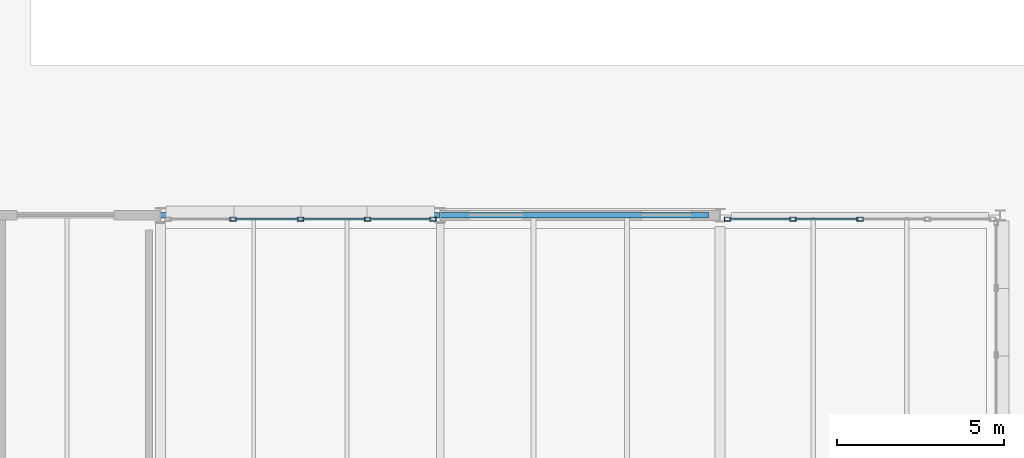
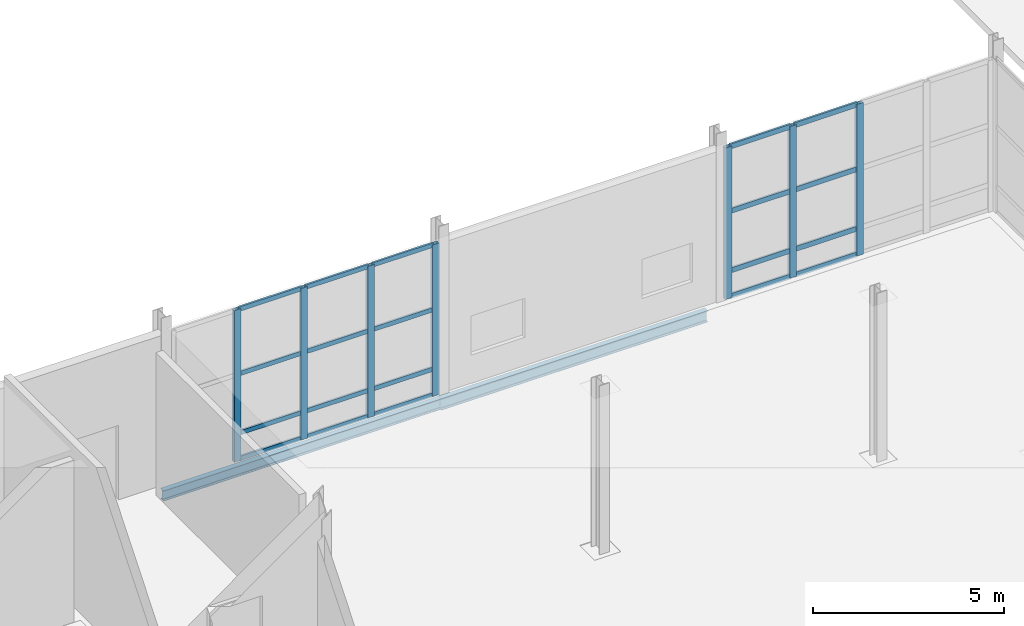
# One storey, part 50 of 124: 27 members, 2 beams, 2 elements without a shape of their own.
"""IFC4 building model written with IfcOpenShell, lengths in metres."""

from ifc_helpers import new_model, si_unit, direction, frame, origin, origin_2d, place, context, subcontext, project, spatial, hollow_rectangle, i_section, extrude, material, material_profile, profile_set, type_object, element, aggregate, save


model = new_model("IFC4")

# Units and contexts
model_context = context("Model", 3, precision=1e-05, world=origin(), true_north=direction((0.0, 1.0)))
body_context = subcontext(model_context, "Body", "Model", "MODEL_VIEW")
ifc_project = project(units=[si_unit("LENGTHUNIT", "METRE"), si_unit("AREAUNIT", "SQUARE_METRE"), si_unit("VOLUMEUNIT", "CUBIC_METRE"), si_unit("PLANEANGLEUNIT", "RADIAN"), si_unit("MASSUNIT", "GRAM", prefix="KILO")], contexts=[model_context])

# Site, building, storey
site_placement = place(None, origin())
site = spatial("IfcSite", under=ifc_project, at=site_placement, CompositionType="ELEMENT")
building_placement = place(site_placement, origin())
building = spatial("IfcBuilding", under=site, at=building_placement, Name="Mersafa Astral City Hall", CompositionType="ELEMENT")
storey_placement = place(building_placement, origin())
storey = spatial("IfcBuildingStorey", under=building, at=storey_placement, Name="L00", CompositionType="ELEMENT", Elevation=0.0)

# Curtain wall, members
ifc_material_1 = material(Name="Anodised bronze aluminium framing", Category="aluminium")
curtain_wall_type_1 = type_object("IfcCurtainWallType", Name="ENV-CW-1", PredefinedType="USERDEFINED", material=ifc_material_1)
curtain_wall_1_placement = place(storey_placement, origin())
curtain_wall_1 = element("IfcCurtainWall", 1, at=curtain_wall_1_placement, inside=storey, type_object=curtain_wall_type_1, Name="L00 Unitised solar curtain wall 6", ObjectType="UNITISED CURTAIN WALL", PredefinedType="USERDEFINED")
ifc_material_profile_1 = material_profile(ifc_material_1, hollow_rectangle(XDim=0.1201171875, YDim=0.199951171875, WallThickness=0.008056640625, at=origin_2d()), Name="RHS 120x200x8")
ifc_profile_set_1 = profile_set([ifc_material_profile_1], Name="Anodised bronze aluminium framing")
member_type_1 = type_object("IfcMemberType", Name="ENV-CW-MUL-2", PredefinedType="MULLION", material=ifc_profile_set_1)
member_1_placement = place(storey_placement, frame((147.0, 33.47998046875, -0.001953125), z_axis=(0.0, 0.0, 1.0), x_axis=(0.0, -1.0, 0.0)))
member_1 = element("IfcMember", 2, at=member_1_placement, type_object=member_type_1, Name="CW-1 mullion 3", PredefinedType="MULLION", context=body_context, shape_type="SweptSolid", body=[
    extrude(hollow_rectangle(XDim=0.1201171875, YDim=0.199951171875, WallThickness=0.008056640625, at=origin_2d()), origin(), (0.0, 0.0, 1.0), 4.843994140625),
])
member_2_placement = place(storey_placement, frame((144.98095703125, 33.47998046875, -0.001953125), z_axis=(0.0, 0.0, 1.0), x_axis=(0.0, -1.0, 0.0)))
member_2 = element("IfcMember", 3, at=member_2_placement, type_object=member_type_1, Name="CW-1 mullion 4", PredefinedType="MULLION", context=body_context, shape_type="SweptSolid", body=[
    extrude(hollow_rectangle(XDim=0.1201171875, YDim=0.199951171875, WallThickness=0.008056640625, at=origin_2d()), origin(), (0.0, 0.0, 1.0), 4.843994140625),
])
member_3_placement = place(storey_placement, frame((143.02197265625, 33.47998046875, -0.001953125), z_axis=(0.0, 0.0, 1.0), x_axis=(0.0, -1.0, 0.0)))
member_3 = element("IfcMember", 4, at=member_3_placement, type_object=member_type_1, Name="CW-1 mullion 5", PredefinedType="MULLION", context=body_context, shape_type="SweptSolid", body=[
    extrude(hollow_rectangle(XDim=0.1201171875, YDim=0.199951171875, WallThickness=0.008056640625, at=origin_2d()), origin(), (0.0, 0.0, 1.0), 4.843994140625),
])

curtain_wall_type_2 = type_object("IfcCurtainWallType", Name="ENV-CW-2", PredefinedType="USERDEFINED", material=ifc_material_1)
curtain_wall_2_placement = place(storey_placement, origin())
curtain_wall_2 = element("IfcCurtainWall", 5, at=curtain_wall_2_placement, inside=storey, type_object=curtain_wall_type_2, Name="L00 Unitised solar curtain wall 7", ObjectType="UNITISED CURTAIN WALL", PredefinedType="USERDEFINED")
member_4_placement = place(storey_placement, frame((134.177978515625, 33.47998046875, -0.001953125), z_axis=(0.0, 0.0, 1.0), x_axis=(0.0, -1.0, 0.0)))
member_4 = element("IfcMember", 6, at=member_4_placement, type_object=member_type_1, Name="CW-2 mullion 1", PredefinedType="MULLION", context=body_context, shape_type="SweptSolid", body=[
    extrude(hollow_rectangle(XDim=0.1201171875, YDim=0.199951171875, WallThickness=0.008056640625, at=origin_2d()), origin(), (0.0, 0.0, 1.0), 4.843994140625),
])
member_5_placement = place(storey_placement, frame((132.218994140625, 33.47998046875, -0.001953125), z_axis=(0.0, 0.0, 1.0), x_axis=(0.0, -1.0, 0.0)))
member_5 = element("IfcMember", 7, at=member_5_placement, type_object=member_type_1, Name="CW-2 mullion 2", PredefinedType="MULLION", context=body_context, shape_type="SweptSolid", body=[
    extrude(hollow_rectangle(XDim=0.1201171875, YDim=0.199951171875, WallThickness=0.008056640625, at=origin_2d()), origin(), (0.0, 0.0, 1.0), 4.843994140625),
])
member_6_placement = place(storey_placement, frame((130.199951171875, 33.47998046875, -0.001953125), z_axis=(0.0, 0.0, 1.0), x_axis=(0.0, -1.0, 0.0)))
member_6 = element("IfcMember", 8, at=member_6_placement, type_object=member_type_1, Name="CW-2 mullion 3", PredefinedType="MULLION", context=body_context, shape_type="SweptSolid", body=[
    extrude(hollow_rectangle(XDim=0.1201171875, YDim=0.199951171875, WallThickness=0.008056640625, at=origin_2d()), origin(), (0.0, 0.0, 1.0), 4.843994140625),
])
member_7_placement = place(storey_placement, frame((128.180908203125, 33.47998046875, -0.001953125), z_axis=(0.0, 0.0, 1.0), x_axis=(0.0, -1.0, 0.0)))
member_7 = element("IfcMember", 9, at=member_7_placement, type_object=member_type_1, Name="CW-2 mullion 4", PredefinedType="MULLION", context=body_context, shape_type="SweptSolid", body=[
    extrude(hollow_rectangle(XDim=0.1201171875, YDim=0.199951171875, WallThickness=0.008056640625, at=origin_2d()), origin(), (0.0, 0.0, 1.0), 4.843994140625),
])
ifc_material_profile_2 = material_profile(ifc_material_1, hollow_rectangle(XDim=0.06005859375, YDim=0.139892578125, WallThickness=0.00390625, at=origin_2d()), Name="RHS 60x140x4")
ifc_profile_set_2 = profile_set([ifc_material_profile_2], Name="Anodised bronze aluminium framing")
member_type_2 = type_object("IfcMemberType", Name="ENV-CW-TRN-1", PredefinedType="USERDEFINED", material=ifc_profile_set_2)
member_8_placement = place(storey_placement, frame((134.117919921875, 33.47998046875, 0.028076171875), z_axis=(-1.0, 0.0, 0.0), x_axis=(0.0, -1.0, 0.0)))
member_8 = element("IfcMember", 10, at=member_8_placement, type_object=member_type_2, Name="CW-2 transom 1.1", ObjectType="TRANSOM", PredefinedType="USERDEFINED", context=body_context, shape_type="SweptSolid", body=[
    extrude(hollow_rectangle(XDim=0.06005859375, YDim=0.139892578125, WallThickness=0.00390625, at=origin_2d()), origin(), (0.0, 0.0, 1.0), 1.8388671875),
])
member_9_placement = place(storey_placement, frame((134.117919921875, 33.47998046875, 0.85009765625), z_axis=(-1.0, 0.0, 0.0), x_axis=(0.0, -1.0, 0.0)))
member_9 = element("IfcMember", 11, at=member_9_placement, type_object=member_type_2, Name="CW-2 transom 1.2", ObjectType="TRANSOM", PredefinedType="USERDEFINED", context=body_context, shape_type="SweptSolid", body=[
    extrude(hollow_rectangle(XDim=0.06005859375, YDim=0.139892578125, WallThickness=0.00390625, at=origin_2d()), origin(), (0.0, 0.0, 1.0), 1.8388671875),
])
member_10_placement = place(storey_placement, frame((134.117919921875, 33.47998046875, 2.75), z_axis=(-1.0, 0.0, 0.0), x_axis=(0.0, -1.0, 0.0)))
member_10 = element("IfcMember", 12, at=member_10_placement, type_object=member_type_2, Name="CW-2 transom 1.3", ObjectType="TRANSOM", PredefinedType="USERDEFINED", context=body_context, shape_type="SweptSolid", body=[
    extrude(hollow_rectangle(XDim=0.06005859375, YDim=0.139892578125, WallThickness=0.00390625, at=origin_2d()), origin(), (0.0, 0.0, 1.0), 1.8388671875),
])
member_11_placement = place(storey_placement, frame((134.117919921875, 33.47998046875, 4.81201171875), z_axis=(-1.0, 0.0, 0.0), x_axis=(0.0, -1.0, 0.0)))
member_11 = element("IfcMember", 13, at=member_11_placement, type_object=member_type_2, Name="CW-2 transom 1.4", ObjectType="TRANSOM", PredefinedType="USERDEFINED", context=body_context, shape_type="SweptSolid", body=[
    extrude(hollow_rectangle(XDim=0.06005859375, YDim=0.139892578125, WallThickness=0.00390625, at=origin_2d()), origin(), (0.0, 0.0, 1.0), 1.8388671875),
])
member_12_placement = place(storey_placement, frame((132.158935546875, 33.47998046875, 0.028076171875), z_axis=(-1.0, 0.0, 0.0), x_axis=(0.0, -1.0, 0.0)))
member_12 = element("IfcMember", 14, at=member_12_placement, type_object=member_type_2, Name="CW-2 transom 2.1", ObjectType="TRANSOM", PredefinedType="USERDEFINED", context=body_context, shape_type="SweptSolid", body=[
    extrude(hollow_rectangle(XDim=0.06005859375, YDim=0.139892578125, WallThickness=0.00390625, at=origin_2d()), origin(), (0.0, 0.0, 1.0), 1.89892578125),
])
member_13_placement = place(storey_placement, frame((132.158935546875, 33.47998046875, 0.85009765625), z_axis=(-1.0, 0.0, 0.0), x_axis=(0.0, -1.0, 0.0)))
member_13 = element("IfcMember", 15, at=member_13_placement, type_object=member_type_2, Name="CW-2 transom 2.2", ObjectType="TRANSOM", PredefinedType="USERDEFINED", context=body_context, shape_type="SweptSolid", body=[
    extrude(hollow_rectangle(XDim=0.06005859375, YDim=0.139892578125, WallThickness=0.00390625, at=origin_2d()), origin(), (0.0, 0.0, 1.0), 1.89892578125),
])
member_14_placement = place(storey_placement, frame((132.158935546875, 33.47998046875, 2.75), z_axis=(-1.0, 0.0, 0.0), x_axis=(0.0, -1.0, 0.0)))
member_14 = element("IfcMember", 16, at=member_14_placement, type_object=member_type_2, Name="CW-2 transom 2.3", ObjectType="TRANSOM", PredefinedType="USERDEFINED", context=body_context, shape_type="SweptSolid", body=[
    extrude(hollow_rectangle(XDim=0.06005859375, YDim=0.139892578125, WallThickness=0.00390625, at=origin_2d()), origin(), (0.0, 0.0, 1.0), 1.89892578125),
])
member_15_placement = place(storey_placement, frame((132.158935546875, 33.47998046875, 4.81201171875), z_axis=(-1.0, 0.0, 0.0), x_axis=(0.0, -1.0, 0.0)))
member_15 = element("IfcMember", 17, at=member_15_placement, type_object=member_type_2, Name="CW-2 transom 2.4", ObjectType="TRANSOM", PredefinedType="USERDEFINED", context=body_context, shape_type="SweptSolid", body=[
    extrude(hollow_rectangle(XDim=0.06005859375, YDim=0.139892578125, WallThickness=0.00390625, at=origin_2d()), origin(), (0.0, 0.0, 1.0), 1.89892578125),
])
member_16_placement = place(storey_placement, frame((130.139892578125, 33.47998046875, 0.028076171875), z_axis=(-1.0, 0.0, 0.0), x_axis=(0.0, -1.0, 0.0)))
member_16 = element("IfcMember", 18, at=member_16_placement, type_object=member_type_2, Name="CW-2 transom 3.1", ObjectType="TRANSOM", PredefinedType="USERDEFINED", context=body_context, shape_type="SweptSolid", body=[
    extrude(hollow_rectangle(XDim=0.06005859375, YDim=0.139892578125, WallThickness=0.00390625, at=origin_2d()), origin(), (0.0, 0.0, 1.0), 1.89892578125),
])
member_17_placement = place(storey_placement, frame((130.139892578125, 33.47998046875, 0.85009765625), z_axis=(-1.0, 0.0, 0.0), x_axis=(0.0, -1.0, 0.0)))
member_17 = element("IfcMember", 19, at=member_17_placement, type_object=member_type_2, Name="CW-2 transom 3.2", ObjectType="TRANSOM", PredefinedType="USERDEFINED", context=body_context, shape_type="SweptSolid", body=[
    extrude(hollow_rectangle(XDim=0.06005859375, YDim=0.139892578125, WallThickness=0.00390625, at=origin_2d()), origin(), (0.0, 0.0, 1.0), 1.89892578125),
])
member_18_placement = place(storey_placement, frame((130.139892578125, 33.47998046875, 2.75), z_axis=(-1.0, 0.0, 0.0), x_axis=(0.0, -1.0, 0.0)))
member_18 = element("IfcMember", 20, at=member_18_placement, type_object=member_type_2, Name="CW-2 transom 3.3", ObjectType="TRANSOM", PredefinedType="USERDEFINED", context=body_context, shape_type="SweptSolid", body=[
    extrude(hollow_rectangle(XDim=0.06005859375, YDim=0.139892578125, WallThickness=0.00390625, at=origin_2d()), origin(), (0.0, 0.0, 1.0), 1.89892578125),
])
member_19_placement = place(storey_placement, frame((130.139892578125, 33.47998046875, 4.81201171875), z_axis=(-1.0, 0.0, 0.0), x_axis=(0.0, -1.0, 0.0)))
member_19 = element("IfcMember", 21, at=member_19_placement, type_object=member_type_2, Name="CW-2 transom 3.4", ObjectType="TRANSOM", PredefinedType="USERDEFINED", context=body_context, shape_type="SweptSolid", body=[
    extrude(hollow_rectangle(XDim=0.06005859375, YDim=0.139892578125, WallThickness=0.00390625, at=origin_2d()), origin(), (0.0, 0.0, 1.0), 1.89892578125),
])
aggregate(curtain_wall_2, [member_4, member_5, member_6, member_7, member_8, member_9, member_10, member_11, member_12, member_13, member_14, member_15, member_16, member_17, member_18, member_19])

# Member
ifc_material_profile_3 = material_profile(ifc_material_1, hollow_rectangle(XDim=0.06005859375, YDim=0.159912109375, WallThickness=0.00390625, at=origin_2d()), Name="RHS 60x160x4")
ifc_profile_set_3 = profile_set([ifc_material_profile_3], Name="Anodised bronze aluminium framing")
member_type_3 = type_object("IfcMemberType", Name="ENV-CW-TRN-2", PredefinedType="USERDEFINED", material=ifc_profile_set_3)
member_20_placement = place(storey_placement, frame((146.93994140625, 33.47998046875, 0.028076171875), z_axis=(-1.0, 0.0, 0.0), x_axis=(0.0, -1.0, 0.0)))
member_20 = element("IfcMember", 22, at=member_20_placement, type_object=member_type_3, Name="CW-1 transom 3.1", ObjectType="TRANSOM", PredefinedType="USERDEFINED", context=body_context, shape_type="SweptSolid", body=[
    extrude(hollow_rectangle(XDim=0.06005859375, YDim=0.159912109375, WallThickness=0.00390625, at=origin_2d()), origin(), (0.0, 0.0, 1.0), 1.89892578125),
])

member_21_placement = place(storey_placement, frame((146.93994140625, 33.47998046875, 0.85009765625), z_axis=(-1.0, 0.0, 0.0), x_axis=(0.0, -1.0, 0.0)))
member_21 = element("IfcMember", 23, at=member_21_placement, type_object=member_type_3, Name="CW-1 transom 3.2", ObjectType="TRANSOM", PredefinedType="USERDEFINED", context=body_context, shape_type="SweptSolid", body=[
    extrude(hollow_rectangle(XDim=0.06005859375, YDim=0.159912109375, WallThickness=0.00390625, at=origin_2d()), origin(), (0.0, 0.0, 1.0), 1.89892578125),
])

member_22_placement = place(storey_placement, frame((146.93994140625, 33.47998046875, 2.75), z_axis=(-1.0, 0.0, 0.0), x_axis=(0.0, -1.0, 0.0)))
member_22 = element("IfcMember", 24, at=member_22_placement, type_object=member_type_3, Name="CW-1 transom 3.3", ObjectType="TRANSOM", PredefinedType="USERDEFINED", context=body_context, shape_type="SweptSolid", body=[
    extrude(hollow_rectangle(XDim=0.06005859375, YDim=0.159912109375, WallThickness=0.00390625, at=origin_2d()), origin(), (0.0, 0.0, 1.0), 1.89892578125),
])

member_23_placement = place(storey_placement, frame((146.93994140625, 33.47998046875, 4.81201171875), z_axis=(-1.0, 0.0, 0.0), x_axis=(0.0, -1.0, 0.0)))
member_23 = element("IfcMember", 25, at=member_23_placement, type_object=member_type_3, Name="CW-1 transom 3.4", ObjectType="TRANSOM", PredefinedType="USERDEFINED", context=body_context, shape_type="SweptSolid", body=[
    extrude(hollow_rectangle(XDim=0.06005859375, YDim=0.159912109375, WallThickness=0.00390625, at=origin_2d()), origin(), (0.0, 0.0, 1.0), 1.89892578125),
])

member_24_placement = place(storey_placement, frame((144.9208984375, 33.47998046875, 0.028076171875), z_axis=(-1.0, 0.0, 0.0), x_axis=(0.0, -1.0, 0.0)))
member_24 = element("IfcMember", 26, at=member_24_placement, type_object=member_type_3, Name="CW-1 transom 4.1", ObjectType="TRANSOM", PredefinedType="USERDEFINED", context=body_context, shape_type="SweptSolid", body=[
    extrude(hollow_rectangle(XDim=0.06005859375, YDim=0.159912109375, WallThickness=0.00390625, at=origin_2d()), origin(), (0.0, 0.0, 1.0), 1.8388671875),
])

member_25_placement = place(storey_placement, frame((144.9208984375, 33.47998046875, 0.85009765625), z_axis=(-1.0, 0.0, 0.0), x_axis=(0.0, -1.0, 0.0)))
member_25 = element("IfcMember", 27, at=member_25_placement, type_object=member_type_3, Name="CW-1 transom 4.2", ObjectType="TRANSOM", PredefinedType="USERDEFINED", context=body_context, shape_type="SweptSolid", body=[
    extrude(hollow_rectangle(XDim=0.06005859375, YDim=0.159912109375, WallThickness=0.00390625, at=origin_2d()), origin(), (0.0, 0.0, 1.0), 1.8388671875),
])

member_26_placement = place(storey_placement, frame((144.9208984375, 33.47998046875, 2.75), z_axis=(-1.0, 0.0, 0.0), x_axis=(0.0, -1.0, 0.0)))
member_26 = element("IfcMember", 28, at=member_26_placement, type_object=member_type_3, Name="CW-1 transom 4.3", ObjectType="TRANSOM", PredefinedType="USERDEFINED", context=body_context, shape_type="SweptSolid", body=[
    extrude(hollow_rectangle(XDim=0.06005859375, YDim=0.159912109375, WallThickness=0.00390625, at=origin_2d()), origin(), (0.0, 0.0, 1.0), 1.8388671875),
])

member_27_placement = place(storey_placement, frame((144.9208984375, 33.47998046875, 4.81201171875), z_axis=(-1.0, 0.0, 0.0), x_axis=(0.0, -1.0, 0.0)))
member_27 = element("IfcMember", 29, at=member_27_placement, type_object=member_type_3, Name="CW-1 transom 4.4", ObjectType="TRANSOM", PredefinedType="USERDEFINED", context=body_context, shape_type="SweptSolid", body=[
    extrude(hollow_rectangle(XDim=0.06005859375, YDim=0.159912109375, WallThickness=0.00390625, at=origin_2d()), origin(), (0.0, 0.0, 1.0), 1.8388671875),
])

aggregate(curtain_wall_1, [member_1, member_2, member_3, member_20, member_21, member_22, member_23, member_24, member_25, member_26, member_27])

# Beams
ifc_material_2 = material(Name="Steel S355", Category="steel")
ifc_material_profile_4 = material_profile(ifc_material_2, i_section(OverallWidth=0.159912109375, OverallDepth=0.330078125, WebThickness=0.007568359375, FlangeThickness=0.011474609375, FilletRadius=0.01806640625, at=origin_2d()), Name="IPE 330")
ifc_profile_set_4 = profile_set([ifc_material_profile_4], Name="Steel S355")
beam_type_1 = type_object("IfcBeamType", Name="STR-BM-SPANDREL-IPE330", PredefinedType="SPANDREL", material=ifc_profile_set_4)
beam_1_placement = place(storey_placement, frame((126.0029296875, 33.60009765625, -0.4150390625), z_axis=(1.0, 0.0, 0.0), x_axis=(0.0, 1.0, 0.0)))
element("IfcBeam", 30, at=beam_1_placement, inside=storey, type_object=beam_type_1, Name="L00 Primary girder X 15-4", PredefinedType="SPANDREL", context=body_context, shape_type="SweptSolid", body=[
    extrude(i_section(OverallWidth=0.159912109375, OverallDepth=0.330078125, WebThickness=0.007568359375, FlangeThickness=0.011474609375, FilletRadius=0.01806640625, at=origin_2d()), origin(), (0.0, 0.0, 1.0), 8.39404296875),
])
ifc_material_profile_5 = material_profile(ifc_material_2, i_section(OverallWidth=0.169921875, OverallDepth=0.360107421875, WebThickness=0.008056640625, FlangeThickness=0.0126953125, FilletRadius=0.01806640625, at=origin_2d()), Name="IPE 360")
ifc_profile_set_5 = profile_set([ifc_material_profile_5], Name="Steel S355")
beam_type_2 = type_object("IfcBeamType", Name="STR-BM-SPANDREL-IPE360", PredefinedType="SPANDREL", material=ifc_profile_set_5)
beam_2_placement = place(storey_placement, frame((134.403076171875, 33.60009765625, -0.429931640625), z_axis=(1.0, 0.0, 0.0), x_axis=(0.0, 1.0, 0.0)))
element("IfcBeam", 31, at=beam_2_placement, inside=storey, type_object=beam_type_2, Name="L00 Primary girder X 16-4", PredefinedType="SPANDREL", context=body_context, shape_type="SweptSolid", body=[
    extrude(i_section(OverallWidth=0.169921875, OverallDepth=0.360107421875, WebThickness=0.008056640625, FlangeThickness=0.0126953125, FilletRadius=0.01806640625, at=origin_2d()), origin(), (0.0, 0.0, 1.0), 8.052001953125),
])

save(model, "model.ifc")
